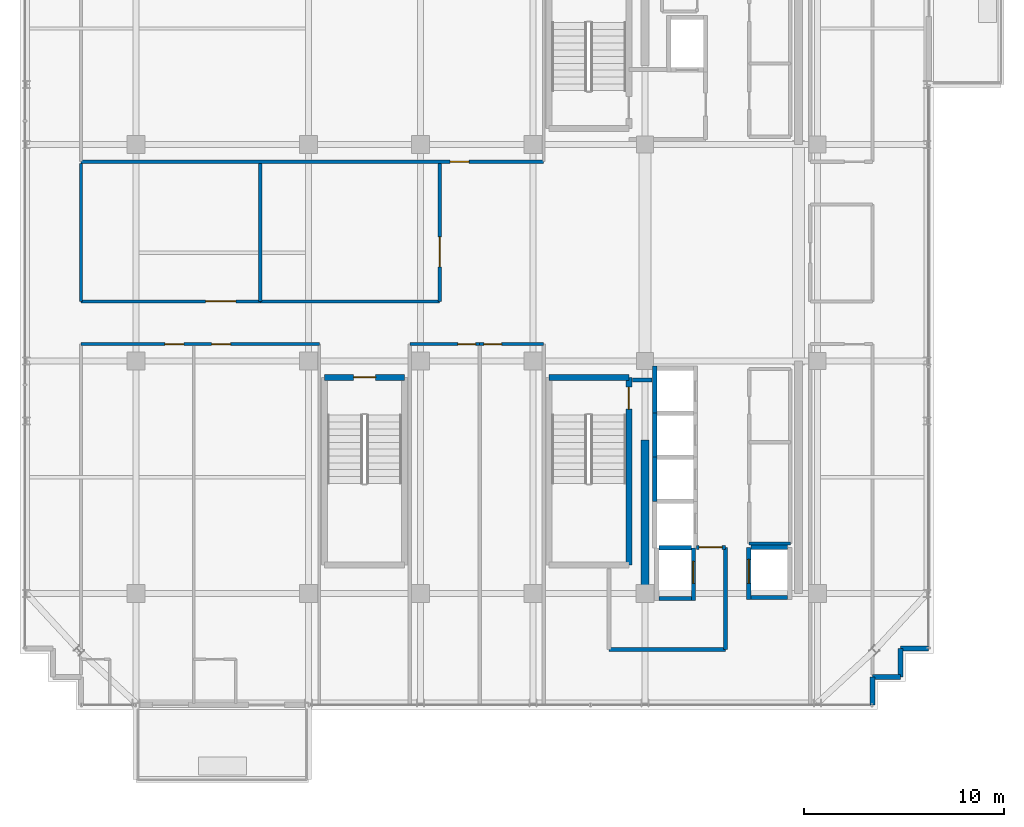
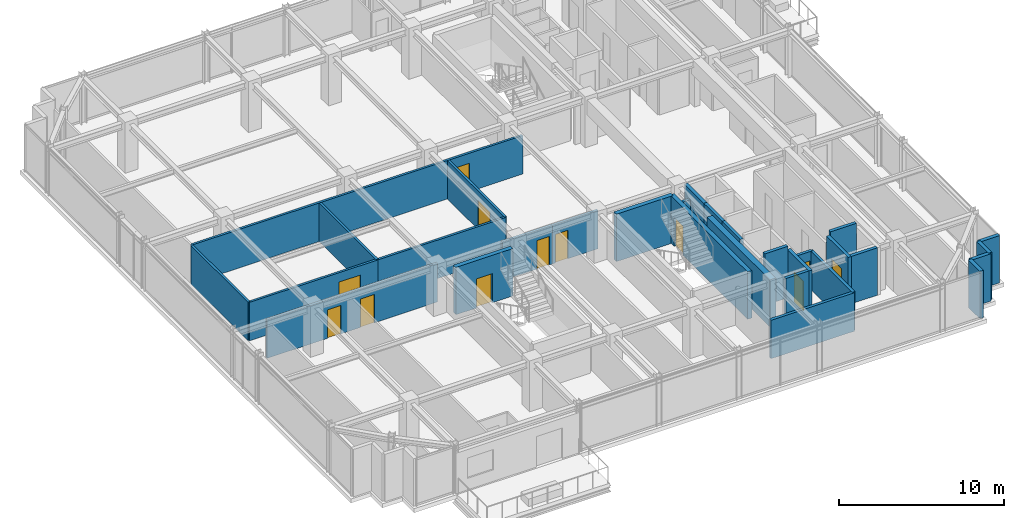
# One storey, part 27 of 33: 31 walls, 12 doors, 12 openings.
"""IFC4 building model written with IfcOpenShell, lengths in metres."""

from ifc_helpers import new_model, si_unit, direction, frame, frame_2d, origin, place, context, subcontext, project, spatial, rectangle, extrude, source, transform, mapped, material, layer, layer_set, type_object, element, fill, save


model = new_model("IFC4")

# Units and contexts
model_context = context("Model", 3, precision=1e-05, world=origin(), true_north=direction((0.0, 1.0)))
body_context = subcontext(model_context, "Body", "Model", "MODEL_VIEW")
ifc_project = project(units=[si_unit("LENGTHUNIT", "METRE"), si_unit("AREAUNIT", "SQUARE_METRE"), si_unit("VOLUMEUNIT", "CUBIC_METRE"), si_unit("PLANEANGLEUNIT", "RADIAN"), si_unit("MASSUNIT", "GRAM", prefix="KILO")], contexts=[model_context])

# Site, building, storey
site_placement = place(None, origin())
site = spatial("IfcSite", under=ifc_project, at=site_placement, CompositionType="ELEMENT")
building_placement = place(site_placement, origin())
building = spatial("IfcBuilding", under=site, at=building_placement, Name="Nahalor Promenade Grand Hotel", CompositionType="ELEMENT")
storey_placement = place(building_placement, frame((0.0, 0.0, 315.75)))
storey = spatial("IfcBuildingStorey", under=building, at=storey_placement, Name="L81", CompositionType="ELEMENT", Elevation=315.75)

# Walls
ifc_material_1 = material(Name="Concrete B-50 (C40/50)", Category="concrete")
ifc_layer_1 = layer(ifc_material_1, 0.39990234375)
ifc_layer_set_1 = layer_set([ifc_layer_1], Name="Concrete B-50 (C40/50)")
wall_type_1 = type_object("IfcWallType", Name="Wall-CoreShear-400", PredefinedType="SHEAR", material=ifc_layer_set_1)
shared_shape_1 = source(origin(), body_context, "Body", "SweptSolid", [
    extrude(rectangle(XDim=7.64990234375, YDim=0.39990234375, at=frame_2d((3.824951171875, 0.0))), origin(), (0.0, 0.0, 1.0), 3.5),
])
wall_1_placement = place(storey_placement, frame((8.39990234375, -17.0, 0.0), z_axis=(0.0, 0.0, 1.0), x_axis=(0.0, 1.0, 0.0)))
element("IfcWall", 1, at=wall_1_placement, inside=storey, type_object=wall_type_1, Name="CWALL-L81-SW", PredefinedType="SHEAR", context=body_context, shape_type="MappedRepresentation", body=[
    mapped(shared_shape_1, transform((0.0, 0.0, 0.0), scale=1.0)),
])
ifc_layer_2 = layer(ifc_material_1, 0.300048828125)
ifc_layer_set_2 = layer_set([ifc_layer_2], Name="Concrete B-50 (C40/50)")
wall_type_2 = type_object("IfcWallType", Name="Wall-ShaftShear-300", PredefinedType="SHEAR", material=ifc_layer_set_2)
shared_shape_2 = source(origin(), body_context, "Body", "SweptSolid", [
    extrude(rectangle(XDim=3.97998046875, YDim=0.300048828125, at=frame_2d((1.989990234375, 0.0))), origin(), (0.0, 0.0, 1.0), 3.5),
])
wall_2_placement = place(storey_placement, frame((3.610107421875, -6.2099609375, 0.0), z_axis=(0.0, 0.0, 1.0), x_axis=(1.0, 0.0, 0.0)))
element("IfcWall", 2, at=wall_2_placement, inside=storey, type_object=wall_type_2, Name="L81 Exit Stair ST2 Shaft Wall N", PredefinedType="SHEAR", context=body_context, shape_type="MappedRepresentation", body=[
    mapped(shared_shape_2, transform((0.0, 0.0, 0.0), scale=1.0)),
])

# Wall, opening, door
wall_3_placement = place(storey_placement, frame((-7.590087890625, -6.2099609375, 0.0), z_axis=(0.0, 0.0, 1.0), x_axis=(1.0, 0.0, 0.0)))
wall_3 = element("IfcWall", 3, at=wall_3_placement, inside=storey, type_object=wall_type_2, Name="L81 Exit Stair ST3 Shaft Wall N", PredefinedType="SHEAR", context=body_context, shape_type="MappedRepresentation", body=[
    mapped(shared_shape_2, transform((0.0, 0.0, 0.0), scale=1.0)),
])
opening_1_placement = place(wall_3_placement, frame((1.43994140625, 0.0, 0.0)))
opening_1 = element("IfcOpeningElement", 4, at=opening_1_placement, cuts=wall_3, Name="Opening D-ST1", PredefinedType="OPENING", context=body_context, shape_type="SweptSolid", body=[
    extrude(rectangle(XDim=1.10009765625, YDim=2.14990234375, at=frame_2d((0.550048828125, 1.074951171875))), frame((0.0, 0.159912109375, 0.0), z_axis=(0.0, -1.0, 0.0), x_axis=(1.0, 0.0, 0.0)), (0.0, 0.0, 1.0), 0.320068359375),
])
ifc_material_2 = material(Name="Steel S355JR", Category="steel")
door_type_1 = type_object("IfcDoorType", Name="Door-StairFire-1100", OperationType="NOTDEFINED", PredefinedType="DOOR", material=ifc_material_2)
shared_shape_3 = source(origin(), body_context, "Body", "SweptSolid", [
    extrude(rectangle(XDim=1.10009765625, YDim=2.14990234375, at=frame_2d((0.550048828125, 1.074951171875))), frame((0.0, 0.02490234375, 0.0), z_axis=(0.0, -1.0, 0.0), x_axis=(1.0, 0.0, 0.0)), (0.0, 0.0, 1.0), 0.050048828125),
])
door_1_placement = place(opening_1_placement, frame((1.10009765625, 0.0, 0.0), z_axis=(0.0, 0.0, 1.0), x_axis=(-1.0, 0.0, 0.0)))
door_1 = element("IfcDoor", 5, at=door_1_placement, inside=storey, type_object=door_type_1, Name="DR-STAIR-ST3-L81", OperationType="SINGLE_SWING_RIGHT", OverallHeight=2.14990234375, OverallWidth=1.10009765625, PredefinedType="DOOR", context=body_context, shape_type="MappedRepresentation", body=[
    mapped(shared_shape_3, transform((0.0, 0.0, 0.0), scale=1.0)),
])
fill(opening_1, door_1)

shared_shape_4 = source(origin(), body_context, "Body", "SweptSolid", [
    extrude(rectangle(XDim=9.380126953125, YDim=0.300048828125, at=frame_2d((4.68994140625, 0.0))), origin(), (0.0, 0.0, 1.0), 3.5),
])
wall_4_placement = place(storey_placement, frame((7.590087890625, -15.590087890625, 0.0), z_axis=(0.0, 0.0, 1.0), x_axis=(0.0, 1.0, 0.0)))
wall_4 = element("IfcWall", 6, at=wall_4_placement, inside=storey, type_object=wall_type_2, Name="L81 Exit Stair ST2 Shaft Wall E", PredefinedType="SHEAR", context=body_context, shape_type="MappedRepresentation", body=[
    mapped(shared_shape_4, transform((0.0, 0.0, 0.0), scale=1.0)),
])
opening_2_placement = place(wall_4_placement, frame((7.7900390625, 0.0, 0.0)))
opening_2 = element("IfcOpeningElement", 7, at=opening_2_placement, cuts=wall_4, Name="Opening D-ST1", PredefinedType="OPENING", context=body_context, shape_type="SweptSolid", body=[
    extrude(rectangle(XDim=1.10009765625, YDim=2.14990234375, at=frame_2d((0.550048828125, 1.074951171875))), frame((0.0, 0.159912109375, 0.0), z_axis=(0.0, -1.0, 0.0), x_axis=(1.0, 0.0, 0.0)), (0.0, 0.0, 1.0), 0.320068359375),
])
door_2_placement = place(opening_2_placement, origin())
door_2 = element("IfcDoor", 8, at=door_2_placement, inside=storey, type_object=door_type_1, Name="DR-STAIR-ST2-L81", OperationType="SINGLE_SWING_RIGHT", OverallHeight=2.14990234375, OverallWidth=1.10009765625, PredefinedType="DOOR", context=body_context, shape_type="MappedRepresentation", body=[
    mapped(shared_shape_3, transform((0.0, 0.0, 0.0), scale=1.0)),
])
fill(opening_2, door_2)

# Walls
ifc_layer_3 = layer(ifc_material_1, 0.219970703125)
ifc_layer_set_3 = layer_set([ifc_layer_3], Name="Concrete B-50 (C40/50)")
wall_type_3 = type_object("IfcWallType", Name="Wall-LiftShaft-220", PredefinedType="SHEAR", material=ifc_layer_set_3)
shared_shape_5 = source(origin(), body_context, "Body", "SweptSolid", [
    extrude(rectangle(XDim=2.360107421875, YDim=0.219970703125, at=frame_2d((1.18017578125, 0.0))), origin(), (0.0, 0.0, 1.0), 3.5),
])
wall_5_placement = place(storey_placement, frame((8.8798828125, -8.0, 0.0), z_axis=(0.0, 0.0, 1.0), x_axis=(0.0, 1.0, 0.0)))
element("IfcWall", 9, at=wall_5_placement, inside=storey, type_object=wall_type_3, Name="L81 Lift PL9 Hoistway Wall W", PredefinedType="SHEAR", context=body_context, shape_type="MappedRepresentation", body=[
    mapped(shared_shape_5, transform((0.0, 0.0, 0.0), scale=1.0)),
])
shared_shape_6 = source(origin(), body_context, "Body", "SweptSolid", [
    extrude(rectangle(XDim=1.820068359375, YDim=0.219970703125, at=frame_2d((0.91015625, 0.0))), origin(), (0.0, 0.0, 1.0), 3.5),
])
wall_6_placement = place(storey_placement, frame((13.68994140625, -17.199951171875, 0.0), z_axis=(0.0, 0.0, 1.0), x_axis=(1.0, 0.0, 0.0)))
element("IfcWall", 10, at=wall_6_placement, inside=storey, type_object=wall_type_3, Name="L81 Lift SV2 Hoistway Wall S", PredefinedType="SHEAR", context=body_context, shape_type="MappedRepresentation", body=[
    mapped(shared_shape_6, transform((0.0, 0.0, 0.0), scale=1.0)),
])
shared_shape_7 = source(origin(), body_context, "Body", "SweptSolid", [
    extrude(rectangle(XDim=2.199951171875, YDim=0.219970703125, at=frame_2d((1.10009765625, 0.0))), origin(), (0.0, 0.0, 1.0), 3.5),
])
for number, where, z_axis, x_axis, name in (
    (11, (8.8798828125, -10.199951171875, 0.0), (0.0, 0.0, 1.0), (0.0, 1.0, 0.0), "L81 Lift PL10 Hoistway Wall W"),
    (12, (8.8798828125, -12.39990234375, 0.0), (0.0, 0.0, 1.0), (0.0, 1.0, 0.0), "L81 Lift PL11 Hoistway Wall W"),
):
    element("IfcWall", number, at=place(storey_placement, frame(where, z_axis=z_axis, x_axis=x_axis)), inside=storey, type_object=wall_type_3, Name=name, PredefinedType="SHEAR", context=body_context, shape_type="MappedRepresentation", body=[
        mapped(shared_shape_7, transform((0.0, 0.0, 0.0), scale=1.0)),
    ])
shared_shape_8 = source(origin(), body_context, "Body", "SweptSolid", [
    extrude(rectangle(XDim=1.820068359375, YDim=0.219970703125, at=frame_2d((0.91015625, 0.0))), origin(), (0.0, 0.0, 1.0), 3.800048828125),
])
wall_7_placement = place(storey_placement, frame((13.68994140625, -14.699951171875, 0.0), z_axis=(0.0, 0.0, 1.0), x_axis=(1.0, 0.0, 0.0)))
element("IfcWall", 13, at=wall_7_placement, inside=storey, type_object=wall_type_3, Name="L81 Lift SV2 Hoistway Wall N", PredefinedType="SHEAR", context=body_context, shape_type="MappedRepresentation", body=[
    mapped(shared_shape_8, transform((0.0, 0.0, 0.0), scale=1.0)),
])

# Wall, opening, door
shared_shape_9 = source(origin(), body_context, "Body", "SweptSolid", [
    extrude(rectangle(XDim=2.635009765625, YDim=0.219970703125, at=frame_2d((1.3173828125, 0.0))), origin(), (0.0, 0.0, 1.0), 3.5),
])
wall_8_placement = place(storey_placement, frame((10.820068359375, -17.360107421875, 0.0), z_axis=(0.0, 0.0, 1.0), x_axis=(0.0, 1.0, 0.0)))
wall_8 = element("IfcWall", 14, at=wall_8_placement, inside=storey, type_object=wall_type_3, Name="L81 Lift FL2 Hoistway Wall E", PredefinedType="SHEAR", context=body_context, shape_type="MappedRepresentation", body=[
    mapped(shared_shape_9, transform((0.0, 0.0, 0.0), scale=1.0)),
])
opening_3_placement = place(wall_8_placement, frame((0.860107421875, 0.0, 0.0)))
opening_3 = element("IfcOpeningElement", 15, at=opening_3_placement, cuts=wall_8, Name="Opening LD-02", PredefinedType="OPENING", context=body_context, shape_type="SweptSolid", body=[
    extrude(rectangle(XDim=1.10009765625, YDim=2.199951171875, at=frame_2d((0.550048828125, 1.10009765625))), frame((0.0, 0.119873046875, 0.0), z_axis=(0.0, -1.0, 0.0), x_axis=(1.0, 0.0, 0.0)), (0.0, 0.0, 1.0), 0.239990234375),
])
door_type_2 = type_object("IfcDoorType", Name="Door-LiftFF-1100", OperationType="DOUBLE_DOOR_SLIDING", PredefinedType="DOOR", material=ifc_material_2)
shared_shape_10 = source(origin(), body_context, "Body", "SweptSolid", [
    extrude(rectangle(XDim=1.10009765625, YDim=2.199951171875, at=frame_2d((0.550048828125, 1.10009765625))), frame((0.0, 0.02490234375, 0.0), z_axis=(0.0, -1.0, 0.0), x_axis=(1.0, 0.0, 0.0)), (0.0, 0.0, 1.0), 0.050048828125),
])
door_3_placement = place(opening_3_placement, frame((1.10009765625, 0.0, 0.0), z_axis=(0.0, 0.0, 1.0), x_axis=(-1.0, 0.0, 0.0)))
door_3 = element("IfcDoor", 16, at=door_3_placement, inside=storey, type_object=door_type_2, Name="DR-LIFT-FL2-L81", OperationType="DOUBLE_DOOR_SLIDING", OverallHeight=2.199951171875, OverallWidth=1.10009765625, PredefinedType="DOOR", context=body_context, shape_type="MappedRepresentation", body=[
    mapped(shared_shape_10, transform((0.0, 0.0, 0.0), scale=1.0)),
])
fill(opening_3, door_3)

# Walls
shared_shape_11 = source(origin(), body_context, "Body", "SweptSolid", [
    extrude(rectangle(XDim=1.619873046875, YDim=0.219970703125, at=frame_2d((0.81005859375, 0.0))), origin(), (0.0, 0.0, 1.0), 3.5),
])
wall_9_placement = place(storey_placement, frame((9.090087890625, -17.25, 0.0), z_axis=(0.0, 0.0, 1.0), x_axis=(1.0, 0.0, 0.0)))
element("IfcWall", 17, at=wall_9_placement, inside=storey, type_object=wall_type_3, Name="L81 Lift FL2 Hoistway Wall S", PredefinedType="SHEAR", context=body_context, shape_type="MappedRepresentation", body=[
    mapped(shared_shape_11, transform((0.0, 0.0, 0.0), scale=1.0)),
])
shared_shape_12 = source(origin(), body_context, "Body", "SweptSolid", [
    extrude(rectangle(XDim=1.619873046875, YDim=0.219970703125, at=frame_2d((0.81005859375, 0.0))), origin(), (0.0, 0.0, 1.0), 3.800048828125),
])
wall_10_placement = place(storey_placement, frame((9.090087890625, -14.72509765625, 0.0), z_axis=(0.0, 0.0, 1.0), x_axis=(1.0, 0.0, 0.0)))
element("IfcWall", 18, at=wall_10_placement, inside=storey, type_object=wall_type_3, Name="L81 Lift FL2 Hoistway Wall N", PredefinedType="SHEAR", context=body_context, shape_type="MappedRepresentation", body=[
    mapped(shared_shape_12, transform((0.0, 0.0, 0.0), scale=1.0)),
])

# Wall, opening, door
shared_shape_13 = source(origin(), body_context, "Body", "SweptSolid", [
    extrude(rectangle(XDim=2.610107421875, YDim=0.219970703125, at=frame_2d((1.30517578125, 0.0))), origin(), (0.0, 0.0, 1.0), 3.5),
])
wall_11_placement = place(storey_placement, frame((13.580078125, -17.31005859375, 0.0), z_axis=(0.0, 0.0, 1.0), x_axis=(0.0, 1.0, 0.0)))
wall_11 = element("IfcWall", 19, at=wall_11_placement, inside=storey, type_object=wall_type_3, Name="L81 Lift SV2 Hoistway Wall W", PredefinedType="SHEAR", context=body_context, shape_type="MappedRepresentation", body=[
    mapped(shared_shape_13, transform((0.0, 0.0, 0.0), scale=1.0)),
])
opening_4_placement = place(wall_11_placement, frame((0.81005859375, 0.0, 0.0)))
opening_4 = element("IfcOpeningElement", 20, at=opening_4_placement, cuts=wall_11, Name="Opening LD-03", PredefinedType="OPENING", context=body_context, shape_type="SweptSolid", body=[
    extrude(rectangle(XDim=1.199951171875, YDim=2.199951171875, at=frame_2d((0.60009765625, 1.10009765625))), frame((0.0, 0.119873046875, 0.0), z_axis=(0.0, -1.0, 0.0), x_axis=(1.0, 0.0, 0.0)), (0.0, 0.0, 1.0), 0.239990234375),
])
door_type_3 = type_object("IfcDoorType", Name="Door-LiftService-1200", OperationType="DOUBLE_DOOR_SLIDING", PredefinedType="DOOR", material=ifc_material_2)
shared_shape_14 = source(origin(), body_context, "Body", "SweptSolid", [
    extrude(rectangle(XDim=1.199951171875, YDim=2.199951171875, at=frame_2d((0.60009765625, 1.10009765625))), frame((0.0, 0.02490234375, 0.0), z_axis=(0.0, -1.0, 0.0), x_axis=(1.0, 0.0, 0.0)), (0.0, 0.0, 1.0), 0.050048828125),
])
door_4_placement = place(opening_4_placement, origin())
door_4 = element("IfcDoor", 21, at=door_4_placement, inside=storey, type_object=door_type_3, Name="DR-LIFT-SV2-L81", OperationType="DOUBLE_DOOR_SLIDING", OverallHeight=2.199951171875, OverallWidth=1.199951171875, PredefinedType="DOOR", context=body_context, shape_type="MappedRepresentation", body=[
    mapped(shared_shape_14, transform((0.0, 0.0, 0.0), scale=1.0)),
])
fill(opening_4, door_4)

# Walls
ifc_material_3 = material(Name="Concrete B-40 (C32/40)", Category="concrete")
ifc_layer_4 = layer(ifc_material_3, 0.25)
ifc_layer_set_4 = layer_set([ifc_layer_4], Name="Concrete B-40 (C32/40)")
wall_type_4 = type_object("IfcWallType", Name="Wall-BronzePier-250", PredefinedType="STANDARD", material=ifc_layer_set_4)
shared_shape_15 = source(origin(), body_context, "Body", "SweptSolid", [
    extrude(rectangle(XDim=1.400146484375, YDim=0.25, at=frame_2d((0.7001953125, 0.0))), origin(), (0.0, 0.0, 1.0), 3.5),
])
for number, where, z_axis, x_axis, name in (
    (22, (19.760009765625, -22.56005859375, 0.0), (0.0, 0.0, 1.0), (0.0, 1.0, 0.0), "W-L81-SR-01"),
    (23, (21.159912109375, -19.760009765625, 0.0), (0.0, 0.0, 1.0), (1.0, 0.0, 0.0), "W-L81-SR-04"),
):
    element("IfcWall", number, at=place(storey_placement, frame(where, z_axis=z_axis, x_axis=x_axis)), inside=storey, type_object=wall_type_4, Name=name, PredefinedType="STANDARD", context=body_context, shape_type="MappedRepresentation", body=[
        mapped(shared_shape_15, transform((0.0, 0.0, 0.0), scale=1.0)),
    ])
shared_shape_16 = source(origin(), body_context, "Body", "SweptSolid", [
    extrude(rectangle(XDim=1.39990234375, YDim=0.25, at=frame_2d((0.699951171875, 0.0))), origin(), (0.0, 0.0, 1.0), 3.5),
])
for number, where, z_axis, x_axis, name in (
    (24, (19.760009765625, -21.159912109375, 0.0), (0.0, 0.0, 1.0), (1.0, 0.0, 0.0), "W-L81-SR-02"),
    (25, (21.159912109375, -21.159912109375, 0.0), (0.0, 0.0, 1.0), (0.0, 1.0, 0.0), "W-L81-SR-03"),
):
    element("IfcWall", number, at=place(storey_placement, frame(where, z_axis=z_axis, x_axis=x_axis)), inside=storey, type_object=wall_type_4, Name=name, PredefinedType="STANDARD", context=body_context, shape_type="MappedRepresentation", body=[
        mapped(shared_shape_16, transform((0.0, 0.0, 0.0), scale=1.0)),
    ])
ifc_layer_5 = layer(ifc_material_3, 0.199951171875)
ifc_layer_set_5 = layer_set([ifc_layer_5], Name="Concrete B-40 (C32/40)")
wall_type_5 = type_object("IfcWallType", Name="Wall-PartFire-200", PredefinedType="PARTITIONING", material=ifc_layer_set_5)
shared_shape_17 = source(origin(), body_context, "Body", "SweptSolid", [
    extrude(rectangle(XDim=5.81982421875, YDim=0.199951171875, at=frame_2d((2.909912109375, 0.0))), origin(), (0.0, 0.0, 1.0), 2.840087890625),
])
wall_12_placement = place(storey_placement, frame((6.60009765625, -19.800048828125, 0.0), z_axis=(0.0, 0.0, 1.0), x_axis=(1.0, 0.0, 0.0)))
element("IfcWall", 26, at=wall_12_placement, inside=storey, type_object=wall_type_5, Name="W-L81-FF2-S1", PredefinedType="PARTITIONING", context=body_context, shape_type="MappedRepresentation", body=[
    mapped(shared_shape_17, transform((0.0, 0.0, 0.0), scale=1.0)),
])
shared_shape_18 = source(origin(), body_context, "Body", "SweptSolid", [
    extrude(rectangle(XDim=5.10009765625, YDim=0.199951171875, at=frame_2d((2.550048828125, 0.0))), origin(), (0.0, 0.0, 1.0), 2.840087890625),
])
wall_13_placement = place(storey_placement, frame((12.419921875, -19.800048828125, 0.0), z_axis=(0.0, 0.0, 1.0), x_axis=(0.0, 1.0, 0.0)))
element("IfcWall", 27, at=wall_13_placement, inside=storey, type_object=wall_type_5, Name="W-L81-FF2-E", PredefinedType="PARTITIONING", context=body_context, shape_type="MappedRepresentation", body=[
    mapped(shared_shape_18, transform((0.0, 0.0, 0.0), scale=1.0)),
])

# Wall, opening, door
shared_shape_19 = source(origin(), body_context, "Body", "SweptSolid", [
    extrude(rectangle(XDim=1.4599609375, YDim=0.199951171875, at=frame_2d((0.72998046875, 0.0))), origin(), (0.0, 0.0, 1.0), 2.840087890625),
])
wall_14_placement = place(storey_placement, frame((10.9599609375, -14.699951171875, 0.0), z_axis=(0.0, 0.0, 1.0), x_axis=(1.0, 0.0, 0.0)))
wall_14 = element("IfcWall", 28, at=wall_14_placement, inside=storey, type_object=wall_type_5, Name="W-L81-FF2-N1", PredefinedType="PARTITIONING", context=body_context, shape_type="MappedRepresentation", body=[
    mapped(shared_shape_19, transform((0.0, 0.0, 0.0), scale=1.0)),
])
opening_5_placement = place(wall_14_placement, frame((0.14501953125, 0.0, 0.0)))
opening_5 = element("IfcOpeningElement", 29, at=opening_5_placement, cuts=wall_14, Name="Opening D-FF1", PredefinedType="OPENING", context=body_context, shape_type="SweptSolid", body=[
    extrude(rectangle(XDim=1.14990234375, YDim=2.14990234375, at=frame_2d((0.574951171875, 1.074951171875))), frame((0.0, 0.10986328125, 0.0), z_axis=(0.0, -1.0, 0.0), x_axis=(1.0, 0.0, 0.0)), (0.0, 0.0, 1.0), 0.219970703125),
])
door_type_4 = type_object("IfcDoorType", Name="Door-FFLobby-1150", OperationType="NOTDEFINED", PredefinedType="DOOR", material=ifc_material_2)
shared_shape_20 = source(origin(), body_context, "Body", "SweptSolid", [
    extrude(rectangle(XDim=1.14990234375, YDim=2.14990234375, at=frame_2d((0.574951171875, 1.074951171875))), frame((0.0, 0.02490234375, 0.0), z_axis=(0.0, -1.0, 0.0), x_axis=(1.0, 0.0, 0.0)), (0.0, 0.0, 1.0), 0.050048828125),
])
door_5_placement = place(opening_5_placement, origin())
door_5 = element("IfcDoor", 30, at=door_5_placement, inside=storey, type_object=door_type_4, Name="DR-L81-FFL2", OperationType="SINGLE_SWING_LEFT", OverallHeight=2.14990234375, OverallWidth=1.14990234375, PredefinedType="DOOR", context=body_context, shape_type="MappedRepresentation", body=[
    mapped(shared_shape_20, transform((0.0, 0.0, 0.0), scale=1.0)),
])
fill(opening_5, door_5)

# Walls
shared_shape_21 = source(origin(), body_context, "Body", "SweptSolid", [
    extrude(rectangle(XDim=0.969970703125, YDim=0.199951171875, at=frame_2d((0.48486328125, 0.0))), origin(), (0.0, 0.0, 1.0), 2.840087890625),
])
wall_15_placement = place(storey_placement, frame((7.77001953125, -6.35009765625, 0.0), z_axis=(0.0, 0.0, 1.0), x_axis=(1.0, 0.0, 0.0)))
element("IfcWall", 31, at=wall_15_placement, inside=storey, type_object=wall_type_5, Name="W-L81-FF2-N2", PredefinedType="PARTITIONING", context=body_context, shape_type="MappedRepresentation", body=[
    mapped(shared_shape_21, transform((0.0, 0.0, 0.0), scale=1.0)),
])
ifc_material_4 = material(Name="Acoustic Mineral Gypsum", Category="gypsum")
ifc_layer_6 = layer(ifc_material_4, 0.159912109375)
ifc_layer_set_6 = layer_set([ifc_layer_6], Name="Acoustic Mineral Gypsum")
wall_type_6 = type_object("IfcWallType", Name="Wall-PartCorridor-160", PredefinedType="PARTITIONING", material=ifc_layer_set_6)
shared_shape_22 = source(origin(), body_context, "Body", "SweptSolid", [
    extrude(rectangle(XDim=2.0498046875, YDim=0.159912109375, at=frame_2d((1.02490234375, 0.0))), origin(), (0.0, 0.0, 1.0), 2.840087890625),
])
wall_16_placement = place(storey_placement, frame((13.60009765625, -14.5, 0.0), z_axis=(0.0, 0.0, 1.0), x_axis=(1.0, 0.0, 0.0)))
element("IfcWall", 32, at=wall_16_placement, inside=storey, type_object=wall_type_6, Name="W-L81-FRB2A-S", PredefinedType="PARTITIONING", context=body_context, shape_type="MappedRepresentation", body=[
    mapped(shared_shape_22, transform((0.0, 0.0, 0.0), scale=1.0)),
])

# Wall, opening, door
shared_shape_23 = source(origin(), body_context, "Body", "SweptSolid", [
    extrude(rectangle(XDim=23.10009765625, YDim=0.159912109375, at=frame_2d((11.550048828125, 0.0))), origin(), (0.0, 0.0, 1.0), 2.840087890625),
])
wall_17_placement = place(storey_placement, frame((-19.760009765625, 4.550048828125, 0.0), z_axis=(0.0, 0.0, 1.0), x_axis=(1.0, 0.0, 0.0)))
wall_17 = element("IfcWall", 33, at=wall_17_placement, inside=storey, type_object=wall_type_6, Name="W-L81-CORR-N", PredefinedType="PARTITIONING", context=body_context, shape_type="MappedRepresentation", body=[
    mapped(shared_shape_23, transform((0.0, 0.0, 0.0), scale=1.0)),
])
opening_6_placement = place(wall_17_placement, frame((18.43505859375, 0.0, 0.0)))
opening_6 = element("IfcOpeningElement", 34, at=opening_6_placement, cuts=wall_17, Name="Opening D-01", PredefinedType="OPENING", context=body_context, shape_type="SweptSolid", body=[
    extrude(rectangle(XDim=0.949951171875, YDim=2.10009765625, at=frame_2d((0.47509765625, 1.050048828125))), frame((0.0, 0.08984375, 0.0), z_axis=(0.0, -1.0, 0.0), x_axis=(1.0, 0.0, 0.0)), (0.0, 0.0, 1.0), 0.179931640625),
])
ifc_material_5 = material(Name="Fire-Rated Timber Composite", Category="wood")
door_type_5 = type_object("IfcDoorType", Name="Door-GuestEntry-950", OperationType="NOTDEFINED", PredefinedType="DOOR", material=ifc_material_5)
shared_shape_24 = source(origin(), body_context, "Body", "SweptSolid", [
    extrude(rectangle(XDim=0.949951171875, YDim=2.10009765625, at=frame_2d((0.47509765625, 1.050048828125))), frame((0.0, 0.02490234375, 0.0), z_axis=(0.0, -1.0, 0.0), x_axis=(1.0, 0.0, 0.0)), (0.0, 0.0, 1.0), 0.050048828125),
])
door_6_placement = place(opening_6_placement, origin())
door_6 = element("IfcDoor", 35, at=door_6_placement, inside=storey, type_object=door_type_5, Name="DR-L81-N1-ENT", OperationType="SINGLE_SWING_RIGHT", OverallHeight=2.10009765625, OverallWidth=0.949951171875, PredefinedType="DOOR", context=body_context, shape_type="MappedRepresentation", body=[
    mapped(shared_shape_24, transform((0.0, 0.0, 0.0), scale=1.0)),
])
fill(opening_6, door_6)

# Wall, openings, doors
shared_shape_25 = source(origin(), body_context, "Body", "SweptSolid", [
    extrude(rectangle(XDim=11.89990234375, YDim=0.159912109375, at=frame_2d((5.949951171875, 0.0))), origin(), (0.0, 0.0, 1.0), 2.840087890625),
])
wall_18_placement = place(storey_placement, frame((-19.760009765625, -4.550048828125, 0.0), z_axis=(0.0, 0.0, 1.0), x_axis=(1.0, 0.0, 0.0)))
wall_18 = element("IfcWall", 36, at=wall_18_placement, inside=storey, type_object=wall_type_6, Name="W-L81-CORR-S", PredefinedType="PARTITIONING", context=body_context, shape_type="MappedRepresentation", body=[
    mapped(shared_shape_25, transform((0.0, 0.0, 0.0), scale=1.0)),
])
opening_7_placement = place(wall_18_placement, frame((4.19091796875, 0.0, 0.0)))
opening_7 = element("IfcOpeningElement", 37, at=opening_7_placement, cuts=wall_18, Name="Opening D-01", PredefinedType="OPENING", context=body_context, shape_type="SweptSolid", body=[
    extrude(rectangle(XDim=0.949951171875, YDim=2.10009765625, at=frame_2d((0.47509765625, 1.050048828125))), frame((0.0, 0.08984375, 0.0), z_axis=(0.0, -1.0, 0.0), x_axis=(1.0, 0.0, 0.0)), (0.0, 0.0, 1.0), 0.179931640625),
])
opening_8_placement = place(wall_18_placement, frame((6.52490234375, 0.0, 0.0)))
opening_8 = element("IfcOpeningElement", 38, at=opening_8_placement, cuts=wall_18, Name="Opening D-01", PredefinedType="OPENING", context=body_context, shape_type="SweptSolid", body=[
    extrude(rectangle(XDim=0.949951171875, YDim=2.10009765625, at=frame_2d((0.47509765625, 1.050048828125))), frame((0.0, 0.08984375, 0.0), z_axis=(0.0, -1.0, 0.0), x_axis=(1.0, 0.0, 0.0)), (0.0, 0.0, 1.0), 0.179931640625),
])
door_7_placement = place(opening_7_placement, frame((0.949951171875, 0.0, 0.0), z_axis=(0.0, 0.0, 1.0), x_axis=(-1.0, 0.0, 0.0)))
door_7 = element("IfcDoor", 39, at=door_7_placement, inside=storey, type_object=door_type_5, Name="DR-L81-S1-ENT", OperationType="SINGLE_SWING_RIGHT", OverallHeight=2.10009765625, OverallWidth=0.949951171875, PredefinedType="DOOR", context=body_context, shape_type="MappedRepresentation", body=[
    mapped(shared_shape_24, transform((0.0, 0.0, 0.0), scale=1.0)),
])
fill(opening_7, door_7)
door_8_placement = place(opening_8_placement, frame((0.949951171875, 0.0, 0.0), z_axis=(0.0, 0.0, 1.0), x_axis=(-1.0, 0.0, 0.0)))
door_8 = element("IfcDoor", 40, at=door_8_placement, inside=storey, type_object=door_type_5, Name="DR-L81-S2-ENT", OperationType="SINGLE_SWING_RIGHT", OverallHeight=2.10009765625, OverallWidth=0.949951171875, PredefinedType="DOOR", context=body_context, shape_type="MappedRepresentation", body=[
    mapped(shared_shape_24, transform((0.0, 0.0, 0.0), scale=1.0)),
])
fill(opening_8, door_8)

# Wall, opening, door
shared_shape_26 = source(origin(), body_context, "Body", "SweptSolid", [
    extrude(rectangle(XDim=3.489990234375, YDim=0.159912109375, at=frame_2d((1.7451171875, 0.0))), origin(), (0.0, 0.0, 1.0), 2.840087890625),
])
wall_19_placement = place(storey_placement, frame((-3.340087890625, -4.550048828125, 0.0), z_axis=(0.0, 0.0, 1.0), x_axis=(1.0, 0.0, 0.0)))
wall_19 = element("IfcWall", 41, at=wall_19_placement, inside=storey, type_object=wall_type_6, Name="W-L81-SCB1-N", PredefinedType="PARTITIONING", context=body_context, shape_type="MappedRepresentation", body=[
    mapped(shared_shape_26, transform((0.0, 0.0, 0.0), scale=1.0)),
])
opening_9_placement = place(wall_19_placement, frame((2.39990234375, 0.0, 0.0)))
opening_9 = element("IfcOpeningElement", 42, at=opening_9_placement, cuts=wall_19, Name="Opening D-03", PredefinedType="OPENING", context=body_context, shape_type="SweptSolid", body=[
    extrude(rectangle(XDim=0.8798828125, YDim=2.10009765625, at=frame_2d((0.43994140625, 1.050048828125))), frame((0.0, 0.08984375, 0.0), z_axis=(0.0, -1.0, 0.0), x_axis=(1.0, 0.0, 0.0)), (0.0, 0.0, 1.0), 0.179931640625),
])
door_type_6 = type_object("IfcDoorType", Name="Door-BathSwing-880", OperationType="NOTDEFINED", PredefinedType="DOOR", material=ifc_material_5)
shared_shape_27 = source(origin(), body_context, "Body", "SweptSolid", [
    extrude(rectangle(XDim=0.8798828125, YDim=2.10009765625, at=frame_2d((0.43994140625, 1.050048828125))), frame((0.0, 0.02490234375, 0.0), z_axis=(0.0, -1.0, 0.0), x_axis=(1.0, 0.0, 0.0)), (0.0, 0.0, 1.0), 0.050048828125),
])
door_9_placement = place(opening_9_placement, frame((0.8798828125, 0.0, 0.0), z_axis=(0.0, 0.0, 1.0), x_axis=(-1.0, 0.0, 0.0)))
door_9 = element("IfcDoor", 43, at=door_9_placement, inside=storey, type_object=door_type_6, Name="DR-L81-SCB1", OperationType="SINGLE_SWING_LEFT", OverallHeight=2.10009765625, OverallWidth=0.8798828125, PredefinedType="DOOR", context=body_context, shape_type="MappedRepresentation", body=[
    mapped(shared_shape_27, transform((0.0, 0.0, 0.0), scale=1.0)),
])
fill(opening_9, door_9)

shared_shape_28 = source(origin(), body_context, "Body", "SweptSolid", [
    extrude(rectangle(XDim=3.190185546875, YDim=0.159912109375, at=frame_2d((1.59521484375, 0.0))), origin(), (0.0, 0.0, 1.0), 2.840087890625),
])
wall_20_placement = place(storey_placement, frame((0.14990234375, -4.550048828125, 0.0), z_axis=(0.0, 0.0, 1.0), x_axis=(1.0, 0.0, 0.0)))
wall_20 = element("IfcWall", 44, at=wall_20_placement, inside=storey, type_object=wall_type_6, Name="W-L81-SCB2-N", PredefinedType="PARTITIONING", context=body_context, shape_type="MappedRepresentation", body=[
    mapped(shared_shape_28, transform((0.0, 0.0, 0.0), scale=1.0)),
])
opening_10_placement = place(wall_20_placement, frame((0.2099609375, 0.0, 0.0)))
opening_10 = element("IfcOpeningElement", 45, at=opening_10_placement, cuts=wall_20, Name="Opening D-03", PredefinedType="OPENING", context=body_context, shape_type="SweptSolid", body=[
    extrude(rectangle(XDim=0.8798828125, YDim=2.10009765625, at=frame_2d((0.43994140625, 1.050048828125))), frame((0.0, 0.08984375, 0.0), z_axis=(0.0, -1.0, 0.0), x_axis=(1.0, 0.0, 0.0)), (0.0, 0.0, 1.0), 0.179931640625),
])
door_10_placement = place(opening_10_placement, frame((0.8798828125, 0.0, 0.0), z_axis=(0.0, 0.0, 1.0), x_axis=(-1.0, 0.0, 0.0)))
door_10 = element("IfcDoor", 46, at=door_10_placement, inside=storey, type_object=door_type_6, Name="DR-L81-SCB2", OperationType="SINGLE_SWING_RIGHT", OverallHeight=2.10009765625, OverallWidth=0.8798828125, PredefinedType="DOOR", context=body_context, shape_type="MappedRepresentation", body=[
    mapped(shared_shape_27, transform((0.0, 0.0, 0.0), scale=1.0)),
])
fill(opening_10, door_10)

shared_shape_29 = source(origin(), body_context, "Body", "SweptSolid", [
    extrude(rectangle(XDim=8.955078125, YDim=0.159912109375, at=frame_2d((4.4775390625, 0.0))), origin(), (0.0, 0.0, 1.0), 2.840087890625),
])
wall_21_placement = place(storey_placement, frame((-19.760009765625, -2.419921875, 0.0), z_axis=(0.0, 0.0, 1.0), x_axis=(1.0, 0.0, 0.0)))
wall_21 = element("IfcWall", 47, at=wall_21_placement, inside=storey, type_object=wall_type_6, Name="W-L81-ZW1-S", PredefinedType="PARTITIONING", context=body_context, shape_type="MappedRepresentation", body=[
    mapped(shared_shape_29, transform((0.0, 0.0, 0.0), scale=1.0)),
])
opening_11_placement = place(wall_21_placement, frame((6.22998046875, 0.0, 0.0)))
opening_11 = element("IfcOpeningElement", 48, at=opening_11_placement, cuts=wall_21, Name="Opening D-02", PredefinedType="OPENING", context=body_context, shape_type="SweptSolid", body=[
    extrude(rectangle(XDim=1.5, YDim=2.14990234375, at=frame_2d((0.75, 1.074951171875))), frame((0.0, 0.08984375, 0.0), z_axis=(0.0, -1.0, 0.0), x_axis=(1.0, 0.0, 0.0)), (0.0, 0.0, 1.0), 0.179931640625),
])
door_type_7 = type_object("IfcDoorType", Name="Door-SuiteDouble-1500", OperationType="DOUBLE_DOOR_SINGLE_SWING", PredefinedType="DOOR", material=ifc_material_5)
shared_shape_30 = source(origin(), body_context, "Body", "SweptSolid", [
    extrude(rectangle(XDim=1.5, YDim=2.14990234375, at=frame_2d((0.75, 1.074951171875))), frame((0.0, 0.02490234375, 0.0), z_axis=(0.0, -1.0, 0.0), x_axis=(1.0, 0.0, 0.0)), (0.0, 0.0, 1.0), 0.050048828125),
])
door_11_placement = place(opening_11_placement, origin())
door_11 = element("IfcDoor", 49, at=door_11_placement, inside=storey, type_object=door_type_7, Name="DR-L81-ZW1", OperationType="DOUBLE_DOOR_SINGLE_SWING", OverallHeight=2.14990234375, OverallWidth=1.5, PredefinedType="DOOR", context=body_context, shape_type="MappedRepresentation", body=[
    mapped(shared_shape_30, transform((0.0, 0.0, 0.0), scale=1.0)),
])
fill(opening_11, door_11)

# Walls
shared_shape_31 = source(origin(), body_context, "Body", "SweptSolid", [
    extrude(rectangle(XDim=6.889892578125, YDim=0.159912109375, at=frame_2d((3.44482421875, 0.0))), origin(), (0.0, 0.0, 1.0), 2.840087890625),
])
for number, where, z_axis, x_axis, name in (
    (50, (-19.760009765625, -2.419921875, 0.0), (0.0, 0.0, 1.0), (0.0, 1.0, 0.0), "W-L81-ZW1-W"),
    (51, (-10.804931640625, -2.419921875, 0.0), (0.0, 0.0, 1.0), (0.0, 1.0, 0.0), "W-L81-ZW1-E"),
):
    element("IfcWall", number, at=place(storey_placement, frame(where, z_axis=z_axis, x_axis=x_axis)), inside=storey, type_object=wall_type_6, Name=name, PredefinedType="PARTITIONING", context=body_context, shape_type="MappedRepresentation", body=[
        mapped(shared_shape_31, transform((0.0, 0.0, 0.0), scale=1.0)),
    ])

# Wall, opening, door
wall_22_placement = place(storey_placement, frame((-1.85009765625, -2.419921875, 0.0), z_axis=(0.0, 0.0, 1.0), x_axis=(0.0, 1.0, 0.0)))
wall_22 = element("IfcWall", 52, at=wall_22_placement, inside=storey, type_object=wall_type_6, Name="W-L81-ZW2-E", PredefinedType="PARTITIONING", context=body_context, shape_type="MappedRepresentation", body=[
    mapped(shared_shape_31, transform((0.0, 0.0, 0.0), scale=1.0)),
])
opening_12_placement = place(wall_22_placement, frame((1.718017578125, 0.0, 0.0)))
opening_12 = element("IfcOpeningElement", 53, at=opening_12_placement, cuts=wall_22, Name="Opening D-02", PredefinedType="OPENING", context=body_context, shape_type="SweptSolid", body=[
    extrude(rectangle(XDim=1.5, YDim=2.14990234375, at=frame_2d((0.75, 1.074951171875))), frame((0.0, 0.08984375, 0.0), z_axis=(0.0, -1.0, 0.0), x_axis=(1.0, 0.0, 0.0)), (0.0, 0.0, 1.0), 0.179931640625),
])
door_12_placement = place(opening_12_placement, origin())
door_12 = element("IfcDoor", 54, at=door_12_placement, inside=storey, type_object=door_type_7, Name="DR-L81-ZW2", OperationType="DOUBLE_DOOR_SINGLE_SWING", OverallHeight=2.14990234375, OverallWidth=1.5, PredefinedType="DOOR", context=body_context, shape_type="MappedRepresentation", body=[
    mapped(shared_shape_30, transform((0.0, 0.0, 0.0), scale=1.0)),
])
fill(opening_12, door_12)

# Wall
shared_shape_32 = source(origin(), body_context, "Body", "SweptSolid", [
    extrude(rectangle(XDim=8.954833984375, YDim=0.159912109375, at=frame_2d((4.4775390625, 0.0))), origin(), (0.0, 0.0, 1.0), 2.840087890625),
])
wall_23_placement = place(storey_placement, frame((-10.804931640625, -2.419921875, 0.0), z_axis=(0.0, 0.0, 1.0), x_axis=(1.0, 0.0, 0.0)))
element("IfcWall", 55, at=wall_23_placement, inside=storey, type_object=wall_type_6, Name="W-L81-ZW2-S", PredefinedType="PARTITIONING", context=body_context, shape_type="MappedRepresentation", body=[
    mapped(shared_shape_32, transform((0.0, 0.0, 0.0), scale=1.0)),
])

save(model, "model.ifc")
